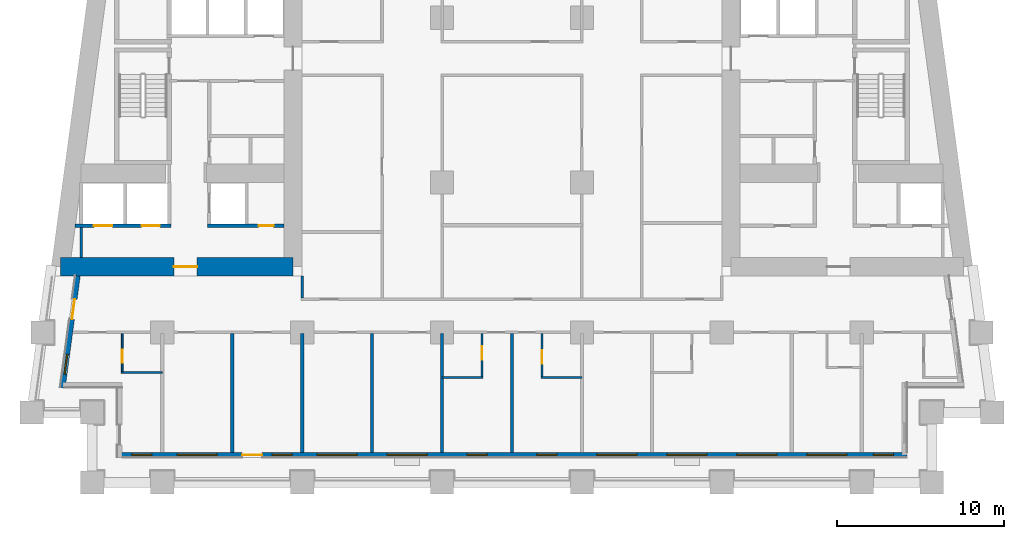
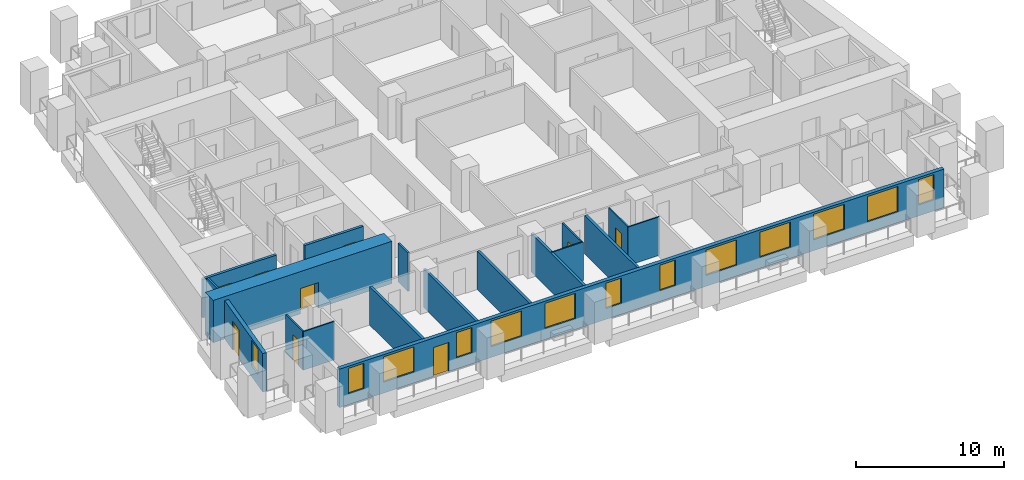
# One storey, part 2 of 12: 18 walls, 13 windows, 9 doors, 22 openings.
"""IFC4 building model written with IfcOpenShell, lengths in metres."""

from ifc_helpers import new_model, si_unit, direction, frame, frame_2d, origin, place, context, subcontext, project, spatial, rectangle, extrude, material, layer, layer_set, type_object, element, fill, save


model = new_model("IFC4")

# Units and contexts
model_context = context("Model", 3, precision=1e-05, world=origin(), true_north=direction((0.0, 1.0)))
body_context = subcontext(model_context, "Body", "Model", "MODEL_VIEW")
ifc_project = project(units=[si_unit("LENGTHUNIT", "METRE"), si_unit("AREAUNIT", "SQUARE_METRE"), si_unit("VOLUMEUNIT", "CUBIC_METRE"), si_unit("PLANEANGLEUNIT", "RADIAN"), si_unit("MASSUNIT", "GRAM", prefix="KILO")], contexts=[model_context])

# Site, building, storey
site_placement = place(None, origin())
site = spatial("IfcSite", under=ifc_project, at=site_placement, CompositionType="ELEMENT")
building_placement = place(site_placement, origin())
building = spatial("IfcBuilding", under=site, at=building_placement, Name="Candeia Pilgrim Tower and Theatre", CompositionType="ELEMENT")
storey_placement = place(building_placement, frame((0.0, 0.0, 42.5)))
storey = spatial("IfcBuildingStorey", under=building, at=storey_placement, Name="L07", CompositionType="ELEMENT", Elevation=42.5)

# Wall, opening, door
ifc_material_1 = material(Name="Concrete C80/95", Category="concrete")
ifc_layer_1 = layer(ifc_material_1, 1.10009765625)
ifc_layer_set_1 = layer_set([ifc_layer_1], Name="Core wall 1100 C80/95")
wall_type_1 = type_object("IfcWallType", Name="Core wall 1100 C80/95", PredefinedType="SHEAR", material=ifc_layer_set_1)
wall_1_placement = place(storey_placement, frame((100.25, 110.949951171875, 0.0), z_axis=(0.0, 0.0, 1.0), x_axis=(-1.0, 0.0, 0.0)))
wall_1 = element("IfcWall", 1, at=wall_1_placement, inside=storey, type_object=wall_type_1, Name="Core wall W3", PredefinedType="SHEAR", context=body_context, shape_type="SweptSolid", body=[
    extrude(rectangle(XDim=13.95166015625, YDim=1.10009765625, at=frame_2d((6.975830078125, 0.0))), origin(), (0.0, 0.0, 1.0), 3.5),
])
opening_1_placement = place(wall_1_placement, frame((5.74755859375, 0.0, 0.0)))
opening_1 = element("IfcOpeningElement", 2, at=opening_1_placement, cuts=wall_1, Name="Opening L07-D055", PredefinedType="OPENING", context=body_context, shape_type="SweptSolid", body=[
    extrude(rectangle(XDim=1.39990234375, YDim=2.10009765625, at=frame_2d((0.699951171875, 1.050048828125))), frame((0.0, 0.56005859375, 0.0), z_axis=(0.0, -1.0, 0.0), x_axis=(1.0, 0.0, 0.0)), (0.0, 0.0, 1.0), 1.1201171875),
])
ifc_material_2 = material(Name="Steel fire door set", Category="steel")
door_type_1 = type_object("IfcDoorType", Name="D-1400-FD60", OperationType="NOTDEFINED", PredefinedType="DOOR", material=ifc_material_2)
door_1_placement = place(opening_1_placement, origin())
door_1 = element("IfcDoor", 3, at=door_1_placement, inside=storey, type_object=door_type_1, Name="Door L07-D055", OperationType="SINGLE_SWING_RIGHT", OverallHeight=2.10009765625, OverallWidth=1.39990234375, PredefinedType="DOOR", context=body_context, shape_type="SweptSolid", body=[
    extrude(rectangle(XDim=1.39990234375, YDim=2.10009765625, at=frame_2d((0.699951171875, 1.050048828125))), frame((0.0, 0.02490234375, 0.0), z_axis=(0.0, -1.0, 0.0), x_axis=(1.0, 0.0, 0.0)), (0.0, 0.0, 1.0), 0.050048828125),
])
fill(opening_1, door_1)

# Wall, openings, door, windows
ifc_material_3 = material(Name="Ceramic block masonry", Category="masonry")
ifc_layer_2 = layer(ifc_material_3, 0.300048828125)
ifc_layer_set_2 = layer_set([ifc_layer_2], Name="EW1 glazing-line wall 300")
wall_type_2 = type_object("IfcWallType", Name="EW1 glazing-line wall 300", PredefinedType="SOLIDWALL", material=ifc_layer_set_2)
wall_2_placement = place(storey_placement, frame((89.85009765625, 99.64990234375, 0.0), z_axis=(0.0, 0.0, 1.0), x_axis=(1.0, 0.0, 0.0)))
wall_2 = element("IfcWall", 4, at=wall_2_placement, inside=storey, type_object=wall_type_2, Name="External wall L07-0.0", PredefinedType="SOLIDWALL", context=body_context, shape_type="SweptSolid", body=[
    extrude(rectangle(XDim=47.25, YDim=0.300048828125, at=frame_2d((23.625, 0.0))), origin(), (0.0, 0.0, 1.0), 3.179931640625),
])
opening_2_placement = place(wall_2_placement, frame((0.72509765625, 0.0, 0.89990234375)))
opening_2 = element("IfcOpeningElement", 5, at=opening_2_placement, cuts=wall_2, Name="Opening W-B", PredefinedType="OPENING", context=body_context, shape_type="SweptSolid", body=[
    extrude(rectangle(XDim=1.199951171875, YDim=2.10009765625, at=frame_2d((0.60009765625, 1.050048828125))), frame((0.0, 0.16015625, 0.0), z_axis=(0.0, -1.0, 0.0), x_axis=(1.0, 0.0, 0.0)), (0.0, 0.0, 1.0), 0.320068359375),
])
opening_3_placement = place(wall_2_placement, frame((3.449951171875, 0.0, 0.89990234375)))
opening_3 = element("IfcOpeningElement", 6, at=opening_3_placement, cuts=wall_2, Name="Opening W-A", PredefinedType="OPENING", context=body_context, shape_type="SweptSolid", body=[
    extrude(rectangle(XDim=2.39990234375, YDim=2.10009765625, at=frame_2d((1.199951171875, 1.050048828125))), frame((0.0, 0.16015625, 0.0), z_axis=(0.0, -1.0, 0.0), x_axis=(1.0, 0.0, 0.0)), (0.0, 0.0, 1.0), 0.320068359375),
])
opening_4_placement = place(wall_2_placement, frame((7.35009765625, 0.0, 0.0)))
opening_4 = element("IfcOpeningElement", 7, at=opening_4_placement, cuts=wall_2, Name="Opening L07-ED092", PredefinedType="OPENING", context=body_context, shape_type="SweptSolid", body=[
    extrude(rectangle(XDim=1.199951171875, YDim=2.39990234375, at=frame_2d((0.60009765625, 1.199951171875))), frame((0.0, 0.16015625, 0.0), z_axis=(0.0, -1.0, 0.0), x_axis=(1.0, 0.0, 0.0)), (0.0, 0.0, 1.0), 0.320068359375),
])
opening_5_placement = place(wall_2_placement, frame((9.14990234375, 0.0, 0.89990234375)))
opening_5 = element("IfcOpeningElement", 8, at=opening_5_placement, cuts=wall_2, Name="Opening W-B", PredefinedType="OPENING", context=body_context, shape_type="SweptSolid", body=[
    extrude(rectangle(XDim=1.199951171875, YDim=2.10009765625, at=frame_2d((0.60009765625, 1.050048828125))), frame((0.0, 0.16015625, 0.0), z_axis=(0.0, -1.0, 0.0), x_axis=(1.0, 0.0, 0.0)), (0.0, 0.0, 1.0), 0.320068359375),
])
opening_6_placement = place(wall_2_placement, frame((11.85009765625, 0.0, 0.89990234375)))
opening_6 = element("IfcOpeningElement", 9, at=opening_6_placement, cuts=wall_2, Name="Opening W-A", PredefinedType="OPENING", context=body_context, shape_type="SweptSolid", body=[
    extrude(rectangle(XDim=2.39990234375, YDim=2.10009765625, at=frame_2d((1.199951171875, 1.050048828125))), frame((0.0, 0.16015625, 0.0), z_axis=(0.0, -1.0, 0.0), x_axis=(1.0, 0.0, 0.0)), (0.0, 0.0, 1.0), 0.320068359375),
])
opening_7_placement = place(wall_2_placement, frame((16.050048828125, 0.0, 0.89990234375)))
opening_7 = element("IfcOpeningElement", 10, at=opening_7_placement, cuts=wall_2, Name="Opening W-A", PredefinedType="OPENING", context=body_context, shape_type="SweptSolid", body=[
    extrude(rectangle(XDim=2.39990234375, YDim=2.10009765625, at=frame_2d((1.199951171875, 1.050048828125))), frame((0.0, 0.16015625, 0.0), z_axis=(0.0, -1.0, 0.0), x_axis=(1.0, 0.0, 0.0)), (0.0, 0.0, 1.0), 0.320068359375),
])
opening_8_placement = place(wall_2_placement, frame((20.85009765625, 0.0, 0.89990234375)))
opening_8 = element("IfcOpeningElement", 11, at=opening_8_placement, cuts=wall_2, Name="Opening W-B", PredefinedType="OPENING", context=body_context, shape_type="SweptSolid", body=[
    extrude(rectangle(XDim=1.199951171875, YDim=2.10009765625, at=frame_2d((0.60009765625, 1.050048828125))), frame((0.0, 0.16015625, 0.0), z_axis=(0.0, -1.0, 0.0), x_axis=(1.0, 0.0, 0.0)), (0.0, 0.0, 1.0), 0.320068359375),
])
opening_9_placement = place(wall_2_placement, frame((25.050048828125, 0.0, 0.89990234375)))
opening_9 = element("IfcOpeningElement", 12, at=opening_9_placement, cuts=wall_2, Name="Opening W-B", PredefinedType="OPENING", context=body_context, shape_type="SweptSolid", body=[
    extrude(rectangle(XDim=1.199951171875, YDim=2.10009765625, at=frame_2d((0.60009765625, 1.050048828125))), frame((0.0, 0.16015625, 0.0), z_axis=(0.0, -1.0, 0.0), x_axis=(1.0, 0.0, 0.0)), (0.0, 0.0, 1.0), 0.320068359375),
])
opening_10_placement = place(wall_2_placement, frame((28.64990234375, 0.0, 0.89990234375)))
opening_10 = element("IfcOpeningElement", 13, at=opening_10_placement, cuts=wall_2, Name="Opening W-A", PredefinedType="OPENING", context=body_context, shape_type="SweptSolid", body=[
    extrude(rectangle(XDim=2.39990234375, YDim=2.10009765625, at=frame_2d((1.199951171875, 1.050048828125))), frame((0.0, 0.16015625, 0.0), z_axis=(0.0, -1.0, 0.0), x_axis=(1.0, 0.0, 0.0)), (0.0, 0.0, 1.0), 0.320068359375),
])
opening_11_placement = place(wall_2_placement, frame((32.85009765625, 0.0, 0.89990234375)))
opening_11 = element("IfcOpeningElement", 14, at=opening_11_placement, cuts=wall_2, Name="Opening W-A", PredefinedType="OPENING", context=body_context, shape_type="SweptSolid", body=[
    extrude(rectangle(XDim=2.39990234375, YDim=2.10009765625, at=frame_2d((1.199951171875, 1.050048828125))), frame((0.0, 0.16015625, 0.0), z_axis=(0.0, -1.0, 0.0), x_axis=(1.0, 0.0, 0.0)), (0.0, 0.0, 1.0), 0.320068359375),
])
opening_12_placement = place(wall_2_placement, frame((37.050048828125, 0.0, 0.89990234375)))
opening_12 = element("IfcOpeningElement", 15, at=opening_12_placement, cuts=wall_2, Name="Opening W-A", PredefinedType="OPENING", context=body_context, shape_type="SweptSolid", body=[
    extrude(rectangle(XDim=2.39990234375, YDim=2.10009765625, at=frame_2d((1.199951171875, 1.050048828125))), frame((0.0, 0.16015625, 0.0), z_axis=(0.0, -1.0, 0.0), x_axis=(1.0, 0.0, 0.0)), (0.0, 0.0, 1.0), 0.320068359375),
])
opening_13_placement = place(wall_2_placement, frame((41.25, 0.0, 0.89990234375)))
opening_13 = element("IfcOpeningElement", 16, at=opening_13_placement, cuts=wall_2, Name="Opening W-A", PredefinedType="OPENING", context=body_context, shape_type="SweptSolid", body=[
    extrude(rectangle(XDim=2.39990234375, YDim=2.10009765625, at=frame_2d((1.199951171875, 1.050048828125))), frame((0.0, 0.16015625, 0.0), z_axis=(0.0, -1.0, 0.0), x_axis=(1.0, 0.0, 0.0)), (0.0, 0.0, 1.0), 0.320068359375),
])
opening_14_placement = place(wall_2_placement, frame((45.25, 0.0, 0.89990234375)))
opening_14 = element("IfcOpeningElement", 17, at=opening_14_placement, cuts=wall_2, Name="Opening W-B", PredefinedType="OPENING", context=body_context, shape_type="SweptSolid", body=[
    extrude(rectangle(XDim=1.199951171875, YDim=2.10009765625, at=frame_2d((0.60009765625, 1.050048828125))), frame((0.0, 0.16015625, 0.0), z_axis=(0.0, -1.0, 0.0), x_axis=(1.0, 0.0, 0.0)), (0.0, 0.0, 1.0), 0.320068359375),
])
ifc_material_4 = material(Name="Aluminium framed glazed door", Category="aluminium")
door_type_2 = type_object("IfcDoorType", Name="Loggia door 1200x2400", OperationType="DOUBLE_DOOR_SINGLE_SWING", PredefinedType="DOOR", material=ifc_material_4)
door_2_placement = place(opening_4_placement, origin())
door_2 = element("IfcDoor", 18, at=door_2_placement, inside=storey, type_object=door_type_2, Name="Loggia door L07-ED092", OperationType="DOUBLE_DOOR_SINGLE_SWING", OverallHeight=2.39990234375, OverallWidth=1.199951171875, PredefinedType="DOOR", context=body_context, shape_type="SweptSolid", body=[
    extrude(rectangle(XDim=1.199951171875, YDim=2.39990234375, at=frame_2d((0.60009765625, 1.199951171875))), frame((0.0, 0.02490234375, 0.0), z_axis=(0.0, -1.0, 0.0), x_axis=(1.0, 0.0, 0.0)), (0.0, 0.0, 1.0), 0.050048828125),
])
fill(opening_4, door_2)
ifc_material_5 = material(Name="Aluminium framed double glazing", Category="aluminium")
window_type_1 = type_object("IfcWindowType", Name="W-A window 2400x2100", PartitioningType="DOUBLE_PANEL_VERTICAL", PredefinedType="WINDOW", material=ifc_material_5)
window_1_placement = place(opening_3_placement, origin())
window_1 = element("IfcWindow", 19, at=window_1_placement, inside=storey, type_object=window_type_1, Name="Window W-A L07", OverallHeight=2.10009765625, OverallWidth=2.39990234375, PartitioningType="SINGLE_PANEL", PredefinedType="WINDOW", context=body_context, shape_type="SweptSolid", body=[
    extrude(rectangle(XDim=2.39990234375, YDim=2.10009765625, at=frame_2d((1.199951171875, 1.050048828125))), frame((0.0, 0.030029296875, 0.0), z_axis=(0.0, -1.0, 0.0), x_axis=(1.0, 0.0, 0.0)), (0.0, 0.0, 1.0), 0.06005859375),
])
fill(opening_3, window_1)
window_2_placement = place(opening_6_placement, origin())
window_2 = element("IfcWindow", 20, at=window_2_placement, inside=storey, type_object=window_type_1, Name="Window W-A L07", OverallHeight=2.10009765625, OverallWidth=2.39990234375, PartitioningType="SINGLE_PANEL", PredefinedType="WINDOW", context=body_context, shape_type="SweptSolid", body=[
    extrude(rectangle(XDim=2.39990234375, YDim=2.10009765625, at=frame_2d((1.199951171875, 1.050048828125))), frame((0.0, 0.030029296875, 0.0), z_axis=(0.0, -1.0, 0.0), x_axis=(1.0, 0.0, 0.0)), (0.0, 0.0, 1.0), 0.06005859375),
])
fill(opening_6, window_2)
window_3_placement = place(opening_7_placement, origin())
window_3 = element("IfcWindow", 21, at=window_3_placement, inside=storey, type_object=window_type_1, Name="Window W-A L07", OverallHeight=2.10009765625, OverallWidth=2.39990234375, PartitioningType="SINGLE_PANEL", PredefinedType="WINDOW", context=body_context, shape_type="SweptSolid", body=[
    extrude(rectangle(XDim=2.39990234375, YDim=2.10009765625, at=frame_2d((1.199951171875, 1.050048828125))), frame((0.0, 0.030029296875, 0.0), z_axis=(0.0, -1.0, 0.0), x_axis=(1.0, 0.0, 0.0)), (0.0, 0.0, 1.0), 0.06005859375),
])
fill(opening_7, window_3)
window_4_placement = place(opening_10_placement, origin())
window_4 = element("IfcWindow", 22, at=window_4_placement, inside=storey, type_object=window_type_1, Name="Window W-A L07", OverallHeight=2.10009765625, OverallWidth=2.39990234375, PartitioningType="SINGLE_PANEL", PredefinedType="WINDOW", context=body_context, shape_type="SweptSolid", body=[
    extrude(rectangle(XDim=2.39990234375, YDim=2.10009765625, at=frame_2d((1.199951171875, 1.050048828125))), frame((0.0, 0.030029296875, 0.0), z_axis=(0.0, -1.0, 0.0), x_axis=(1.0, 0.0, 0.0)), (0.0, 0.0, 1.0), 0.06005859375),
])
fill(opening_10, window_4)
window_5_placement = place(opening_11_placement, origin())
window_5 = element("IfcWindow", 23, at=window_5_placement, inside=storey, type_object=window_type_1, Name="Window W-A L07", OverallHeight=2.10009765625, OverallWidth=2.39990234375, PartitioningType="SINGLE_PANEL", PredefinedType="WINDOW", context=body_context, shape_type="SweptSolid", body=[
    extrude(rectangle(XDim=2.39990234375, YDim=2.10009765625, at=frame_2d((1.199951171875, 1.050048828125))), frame((0.0, 0.030029296875, 0.0), z_axis=(0.0, -1.0, 0.0), x_axis=(1.0, 0.0, 0.0)), (0.0, 0.0, 1.0), 0.06005859375),
])
fill(opening_11, window_5)
window_6_placement = place(opening_12_placement, origin())
window_6 = element("IfcWindow", 24, at=window_6_placement, inside=storey, type_object=window_type_1, Name="Window W-A L07", OverallHeight=2.10009765625, OverallWidth=2.39990234375, PartitioningType="SINGLE_PANEL", PredefinedType="WINDOW", context=body_context, shape_type="SweptSolid", body=[
    extrude(rectangle(XDim=2.39990234375, YDim=2.10009765625, at=frame_2d((1.199951171875, 1.050048828125))), frame((0.0, 0.030029296875, 0.0), z_axis=(0.0, -1.0, 0.0), x_axis=(1.0, 0.0, 0.0)), (0.0, 0.0, 1.0), 0.06005859375),
])
fill(opening_12, window_6)
window_7_placement = place(opening_13_placement, origin())
window_7 = element("IfcWindow", 25, at=window_7_placement, inside=storey, type_object=window_type_1, Name="Window W-A L07", OverallHeight=2.10009765625, OverallWidth=2.39990234375, PartitioningType="SINGLE_PANEL", PredefinedType="WINDOW", context=body_context, shape_type="SweptSolid", body=[
    extrude(rectangle(XDim=2.39990234375, YDim=2.10009765625, at=frame_2d((1.199951171875, 1.050048828125))), frame((0.0, 0.030029296875, 0.0), z_axis=(0.0, -1.0, 0.0), x_axis=(1.0, 0.0, 0.0)), (0.0, 0.0, 1.0), 0.06005859375),
])
fill(opening_13, window_7)
window_type_2 = type_object("IfcWindowType", Name="W-B window 1200x2100", PartitioningType="SINGLE_PANEL", PredefinedType="WINDOW", material=ifc_material_5)
window_8_placement = place(opening_2_placement, origin())
window_8 = element("IfcWindow", 26, at=window_8_placement, inside=storey, type_object=window_type_2, Name="Window W-B L07", OverallHeight=2.10009765625, OverallWidth=1.199951171875, PartitioningType="SINGLE_PANEL", PredefinedType="WINDOW", context=body_context, shape_type="SweptSolid", body=[
    extrude(rectangle(XDim=1.199951171875, YDim=2.10009765625, at=frame_2d((0.60009765625, 1.050048828125))), frame((0.0, 0.030029296875, 0.0), z_axis=(0.0, -1.0, 0.0), x_axis=(1.0, 0.0, 0.0)), (0.0, 0.0, 1.0), 0.06005859375),
])
fill(opening_2, window_8)
window_9_placement = place(opening_5_placement, origin())
window_9 = element("IfcWindow", 27, at=window_9_placement, inside=storey, type_object=window_type_2, Name="Window W-B L07", OverallHeight=2.10009765625, OverallWidth=1.199951171875, PartitioningType="SINGLE_PANEL", PredefinedType="WINDOW", context=body_context, shape_type="SweptSolid", body=[
    extrude(rectangle(XDim=1.199951171875, YDim=2.10009765625, at=frame_2d((0.60009765625, 1.050048828125))), frame((0.0, 0.030029296875, 0.0), z_axis=(0.0, -1.0, 0.0), x_axis=(1.0, 0.0, 0.0)), (0.0, 0.0, 1.0), 0.06005859375),
])
fill(opening_5, window_9)
window_10_placement = place(opening_8_placement, origin())
window_10 = element("IfcWindow", 28, at=window_10_placement, inside=storey, type_object=window_type_2, Name="Window W-B L07", OverallHeight=2.10009765625, OverallWidth=1.199951171875, PartitioningType="SINGLE_PANEL", PredefinedType="WINDOW", context=body_context, shape_type="SweptSolid", body=[
    extrude(rectangle(XDim=1.199951171875, YDim=2.10009765625, at=frame_2d((0.60009765625, 1.050048828125))), frame((0.0, 0.030029296875, 0.0), z_axis=(0.0, -1.0, 0.0), x_axis=(1.0, 0.0, 0.0)), (0.0, 0.0, 1.0), 0.06005859375),
])
fill(opening_8, window_10)
window_11_placement = place(opening_9_placement, origin())
window_11 = element("IfcWindow", 29, at=window_11_placement, inside=storey, type_object=window_type_2, Name="Window W-B L07", OverallHeight=2.10009765625, OverallWidth=1.199951171875, PartitioningType="SINGLE_PANEL", PredefinedType="WINDOW", context=body_context, shape_type="SweptSolid", body=[
    extrude(rectangle(XDim=1.199951171875, YDim=2.10009765625, at=frame_2d((0.60009765625, 1.050048828125))), frame((0.0, 0.030029296875, 0.0), z_axis=(0.0, -1.0, 0.0), x_axis=(1.0, 0.0, 0.0)), (0.0, 0.0, 1.0), 0.06005859375),
])
fill(opening_9, window_11)
window_12_placement = place(opening_14_placement, origin())
window_12 = element("IfcWindow", 30, at=window_12_placement, inside=storey, type_object=window_type_2, Name="Window W-B L07", OverallHeight=2.10009765625, OverallWidth=1.199951171875, PartitioningType="SINGLE_PANEL", PredefinedType="WINDOW", context=body_context, shape_type="SweptSolid", body=[
    extrude(rectangle(XDim=1.199951171875, YDim=2.10009765625, at=frame_2d((0.60009765625, 1.050048828125))), frame((0.0, 0.030029296875, 0.0), z_axis=(0.0, -1.0, 0.0), x_axis=(1.0, 0.0, 0.0)), (0.0, 0.0, 1.0), 0.06005859375),
])
fill(opening_14, window_12)

# Wall, openings, door, window
wall_3_placement = place(storey_placement, frame((87.334228515625, 110.39990234375, 0.0), z_axis=(0.0, 0.0, 1.0), x_axis=(-0.133437175554, -0.991057273915, 0.0)))
wall_3 = element("IfcWall", 31, at=wall_3_placement, inside=storey, type_object=wall_type_2, Name="External wall L07-9.1", PredefinedType="SOLIDWALL", context=body_context, shape_type="SweptSolid", body=[
    extrude(rectangle(XDim=6.780517578125, YDim=0.300048828125, at=frame_2d((3.39013671875, 0.0))), origin(), (0.0, 0.0, 1.0), 3.179931640625),
])
opening_15_placement = place(wall_3_placement, frame((1.41796875, 0.0, 0.0)))
opening_15 = element("IfcOpeningElement", 32, at=opening_15_placement, cuts=wall_3, Name="Opening L07-ED099", PredefinedType="OPENING", context=body_context, shape_type="SweptSolid", body=[
    extrude(rectangle(XDim=1.199951171875, YDim=2.39990234375, at=frame_2d((0.60009765625, 1.199951171875))), frame((0.0, 0.16015625, 0.0), z_axis=(0.0, -1.0, 0.0), x_axis=(1.0, 0.0, 0.0)), (0.0, 0.0, 1.0), 0.320068359375),
])
opening_16_placement = place(wall_3_placement, frame((4.75830078125, 0.0, 0.89990234375)))
opening_16 = element("IfcOpeningElement", 33, at=opening_16_placement, cuts=wall_3, Name="Opening W-B", PredefinedType="OPENING", context=body_context, shape_type="SweptSolid", body=[
    extrude(rectangle(XDim=1.199951171875, YDim=2.10009765625, at=frame_2d((0.60009765625, 1.050048828125))), frame((0.0, 0.16015625, 0.0), z_axis=(0.0, -1.0, 0.0), x_axis=(1.0, 0.0, 0.0)), (0.0, 0.0, 1.0), 0.320068359375),
])
door_3_placement = place(opening_15_placement, origin())
door_3 = element("IfcDoor", 34, at=door_3_placement, inside=storey, type_object=door_type_2, Name="Loggia door L07-ED099", OperationType="DOUBLE_DOOR_SINGLE_SWING", OverallHeight=2.39990234375, OverallWidth=1.199951171875, PredefinedType="DOOR", context=body_context, shape_type="SweptSolid", body=[
    extrude(rectangle(XDim=1.199951171875, YDim=2.39990234375, at=frame_2d((0.60009765625, 1.199951171875))), frame((0.0, 0.02490234375, 0.0), z_axis=(0.0, -1.0, 0.0), x_axis=(1.0, 0.0, 0.0)), (0.0, 0.0, 1.0), 0.050048828125),
])
fill(opening_15, door_3)
window_13_placement = place(opening_16_placement, origin())
window_13 = element("IfcWindow", 35, at=window_13_placement, inside=storey, type_object=window_type_2, Name="Window W-B L07", OverallHeight=2.10009765625, OverallWidth=1.199951171875, PartitioningType="SINGLE_PANEL", PredefinedType="WINDOW", context=body_context, shape_type="SweptSolid", body=[
    extrude(rectangle(XDim=1.199951171875, YDim=2.10009765625, at=frame_2d((0.60009765625, 1.050048828125))), frame((0.0, 0.030029296875, 0.0), z_axis=(0.0, -1.0, 0.0), x_axis=(1.0, 0.0, 0.0)), (0.0, 0.0, 1.0), 0.06005859375),
])
fill(opening_16, window_13)

# Walls
ifc_material_6 = material(Name="Gypsum board partition on steel studs", Category="steel")
ifc_layer_3 = layer(ifc_material_6, 0.10009765625)
ifc_layer_set_3 = layer_set([ifc_layer_3], Name="PW-100 room partition")
wall_type_3 = type_object("IfcWallType", Name="PW-100 room partition", PredefinedType="PARTITIONING", material=ifc_layer_set_3)
wall_4_placement = place(storey_placement, frame((109.199951171875, 104.300048828125, 0.0), z_axis=(0.0, 0.0, 1.0), x_axis=(1.0, 0.0, 0.0)))
element("IfcWall", 36, at=wall_4_placement, inside=storey, type_object=wall_type_3, Name="Room partition L07-001", PredefinedType="PARTITIONING", context=body_context, shape_type="SweptSolid", body=[
    extrude(rectangle(XDim=2.449951171875, YDim=0.10009765625, at=frame_2d((1.22509765625, 0.0))), origin(), (0.0, 0.0, 1.0), 3.179931640625),
])
wall_5_placement = place(storey_placement, frame((115.14990234375, 104.300048828125, 0.0), z_axis=(0.0, 0.0, 1.0), x_axis=(1.0, 0.0, 0.0)))
element("IfcWall", 37, at=wall_5_placement, inside=storey, type_object=wall_type_3, Name="Room partition L07-002", PredefinedType="PARTITIONING", context=body_context, shape_type="SweptSolid", body=[
    extrude(rectangle(XDim=2.4501953125, YDim=0.10009765625, at=frame_2d((1.22509765625, 0.0))), origin(), (0.0, 0.0, 1.0), 3.179931640625),
])
wall_6_placement = place(storey_placement, frame((89.949951171875, 104.60009765625, 0.0), z_axis=(0.0, 0.0, 1.0), x_axis=(1.0, 0.0, 0.0)))
element("IfcWall", 38, at=wall_6_placement, inside=storey, type_object=wall_type_3, Name="Room partition L07-004", PredefinedType="PARTITIONING", context=body_context, shape_type="SweptSolid", body=[
    extrude(rectangle(XDim=2.449951171875, YDim=0.10009765625, at=frame_2d((1.22509765625, 0.0))), origin(), (0.0, 0.0, 1.0), 3.179931640625),
])

# Wall, opening, door
wall_7_placement = place(storey_placement, frame((90.0, 104.64990234375, 0.0), z_axis=(0.0, 0.0, 1.0), x_axis=(0.0, 1.0, 0.0)))
wall_7 = element("IfcWall", 39, at=wall_7_placement, inside=storey, type_object=wall_type_3, Name="Room partition L07-055", PredefinedType="PARTITIONING", context=body_context, shape_type="SweptSolid", body=[
    extrude(rectangle(XDim=2.275146484375, YDim=0.10009765625, at=frame_2d((1.1376953125, 0.0))), origin(), (0.0, 0.0, 1.0), 3.179931640625),
])
opening_17_placement = place(wall_7_placement, frame((0.52490234375, 0.0, 0.0)))
opening_17 = element("IfcOpeningElement", 40, at=opening_17_placement, cuts=wall_7, Name="Opening L07-D015", PredefinedType="OPENING", context=body_context, shape_type="SweptSolid", body=[
    extrude(rectangle(XDim=0.800048828125, YDim=2.10009765625, at=frame_2d((0.39990234375, 1.050048828125))), frame((0.0, 0.06005859375, 0.0), z_axis=(0.0, -1.0, 0.0), x_axis=(1.0, 0.0, 0.0)), (0.0, 0.0, 1.0), 0.1201171875),
])
ifc_material_7 = material(Name="Timber door leaf", Category="wood")
door_type_3 = type_object("IfcDoorType", Name="D-800", OperationType="NOTDEFINED", PredefinedType="DOOR", material=ifc_material_7)
door_4_placement = place(opening_17_placement, origin())
door_4 = element("IfcDoor", 41, at=door_4_placement, inside=storey, type_object=door_type_3, Name="Door L07-D015", OperationType="SINGLE_SWING_RIGHT", OverallHeight=2.10009765625, OverallWidth=0.800048828125, PredefinedType="DOOR", context=body_context, shape_type="SweptSolid", body=[
    extrude(rectangle(XDim=0.800048828125, YDim=2.10009765625, at=frame_2d((0.39990234375, 1.050048828125))), frame((0.0, 0.02490234375, 0.0), z_axis=(0.0, -1.0, 0.0), x_axis=(1.0, 0.0, 0.0)), (0.0, 0.0, 1.0), 0.050048828125),
])
fill(opening_17, door_4)

wall_8_placement = place(storey_placement, frame((111.60009765625, 104.35009765625, 0.0), z_axis=(0.0, 0.0, 1.0), x_axis=(0.0, 1.0, 0.0)))
wall_8 = element("IfcWall", 42, at=wall_8_placement, inside=storey, type_object=wall_type_3, Name="Room partition L07-085", PredefinedType="PARTITIONING", context=body_context, shape_type="SweptSolid", body=[
    extrude(rectangle(XDim=2.574951171875, YDim=0.10009765625, at=frame_2d((1.28759765625, 0.0))), origin(), (0.0, 0.0, 1.0), 3.179931640625),
])
opening_18_placement = place(wall_8_placement, frame((1.02001953125, 0.0, 0.0)))
opening_18 = element("IfcOpeningElement", 43, at=opening_18_placement, cuts=wall_8, Name="Opening L07-D021", PredefinedType="OPENING", context=body_context, shape_type="SweptSolid", body=[
    extrude(rectangle(XDim=0.800048828125, YDim=2.10009765625, at=frame_2d((0.39990234375, 1.050048828125))), frame((0.0, 0.06005859375, 0.0), z_axis=(0.0, -1.0, 0.0), x_axis=(1.0, 0.0, 0.0)), (0.0, 0.0, 1.0), 0.1201171875),
])
door_5_placement = place(opening_18_placement, origin())
door_5 = element("IfcDoor", 44, at=door_5_placement, inside=storey, type_object=door_type_3, Name="Door L07-D021", OperationType="SINGLE_SWING_RIGHT", OverallHeight=2.10009765625, OverallWidth=0.800048828125, PredefinedType="DOOR", context=body_context, shape_type="SweptSolid", body=[
    extrude(rectangle(XDim=0.800048828125, YDim=2.10009765625, at=frame_2d((0.39990234375, 1.050048828125))), frame((0.0, 0.02490234375, 0.0), z_axis=(0.0, -1.0, 0.0), x_axis=(1.0, 0.0, 0.0)), (0.0, 0.0, 1.0), 0.050048828125),
])
fill(opening_18, door_5)

wall_9_placement = place(storey_placement, frame((115.199951171875, 104.35009765625, 0.0), z_axis=(0.0, 0.0, 1.0), x_axis=(0.0, 1.0, 0.0)))
wall_9 = element("IfcWall", 45, at=wall_9_placement, inside=storey, type_object=wall_type_3, Name="Room partition L07-088", PredefinedType="PARTITIONING", context=body_context, shape_type="SweptSolid", body=[
    extrude(rectangle(XDim=2.574951171875, YDim=0.10009765625, at=frame_2d((1.28759765625, 0.0))), origin(), (0.0, 0.0, 1.0), 3.179931640625),
])
opening_19_placement = place(wall_9_placement, frame((0.780029296875, 0.0, 0.0)))
opening_19 = element("IfcOpeningElement", 46, at=opening_19_placement, cuts=wall_9, Name="Opening L07-D023", PredefinedType="OPENING", context=body_context, shape_type="SweptSolid", body=[
    extrude(rectangle(XDim=0.800048828125, YDim=2.10009765625, at=frame_2d((0.39990234375, 1.050048828125))), frame((0.0, 0.06005859375, 0.0), z_axis=(0.0, -1.0, 0.0), x_axis=(1.0, 0.0, 0.0)), (0.0, 0.0, 1.0), 0.1201171875),
])
door_6_placement = place(opening_19_placement, origin())
door_6 = element("IfcDoor", 47, at=door_6_placement, inside=storey, type_object=door_type_3, Name="Door L07-D023", OperationType="SINGLE_SWING_RIGHT", OverallHeight=2.10009765625, OverallWidth=0.800048828125, PredefinedType="DOOR", context=body_context, shape_type="SweptSolid", body=[
    extrude(rectangle(XDim=0.800048828125, YDim=2.10009765625, at=frame_2d((0.39990234375, 1.050048828125))), frame((0.0, 0.02490234375, 0.0), z_axis=(0.0, -1.0, 0.0), x_axis=(1.0, 0.0, 0.0)), (0.0, 0.0, 1.0), 0.050048828125),
])
fill(opening_19, door_6)

# Walls
ifc_layer_4 = layer(ifc_material_6, 0.14990234375)
ifc_layer_set_4 = layer_set([ifc_layer_4], Name="PW-150 lobby wall")
wall_type_4 = type_object("IfcWallType", Name="PW-150 lobby wall", PredefinedType="PARTITIONING", material=ifc_layer_set_4)
wall_10_placement = place(storey_placement, frame((87.530029296875, 111.5, 0.0), z_axis=(0.0, 0.0, 1.0), x_axis=(0.0, 1.0, 0.0)))
element("IfcWall", 48, at=wall_10_placement, inside=storey, type_object=wall_type_4, Name="Lobby wall L07-052", PredefinedType="PARTITIONING", context=body_context, shape_type="SweptSolid", body=[
    extrude(rectangle(XDim=1.800048828125, YDim=0.14990234375, at=frame_2d((0.89990234375, 0.0))), origin(), (0.0, 0.0, 1.0), 3.179931640625),
])
ifc_layer_5 = layer(ifc_material_6, 0.14990234375)
ifc_layer_set_5 = layer_set([ifc_layer_5], Name="PW-150 unit wall")
wall_type_5 = type_object("IfcWallType", Name="PW-150 unit wall", PredefinedType="PARTITIONING", material=ifc_layer_set_5)
wall_11_placement = place(storey_placement, frame((100.800048828125, 109.074951171875, 0.0), z_axis=(0.0, 0.0, 1.0), x_axis=(0.0, 1.0, 0.0)))
element("IfcWall", 49, at=wall_11_placement, inside=storey, type_object=wall_type_5, Name="Unit wall L07-075", PredefinedType="PARTITIONING", context=body_context, shape_type="SweptSolid", body=[
    extrude(rectangle(XDim=1.324951171875, YDim=0.14990234375, at=frame_2d((0.66259765625, 0.0))), origin(), (0.0, 0.0, 1.0), 3.179931640625),
])
ifc_layer_6 = layer(ifc_material_6, 0.199951171875)
ifc_layer_set_6 = layer_set([ifc_layer_6], Name="PW-200 party wall")
wall_type_6 = type_object("IfcWallType", Name="PW-200 party wall", PredefinedType="PARTITIONING", material=ifc_layer_set_6)
for number, where, z_axis, x_axis, name in (
    (50, (96.60009765625, 99.7900390625, 0.0), (0.0, 0.0, 1.0), (0.0, 1.0, 0.0), "Party wall L07-068"),
    (51, (100.800048828125, 99.7900390625, 0.0), (0.0, 0.0, 1.0), (0.0, 1.0, 0.0), "Party wall L07-073"),
    (52, (105.0, 99.7900390625, 0.0), (0.0, 0.0, 1.0), (0.0, 1.0, 0.0), "Party wall L07-077"),
    (53, (109.199951171875, 99.7900390625, 0.0), (0.0, 0.0, 1.0), (0.0, 1.0, 0.0), "Party wall L07-081"),
    (54, (113.39990234375, 99.7900390625, 0.0), (0.0, 0.0, 1.0), (0.0, 1.0, 0.0), "Party wall L07-086"),
):
    element("IfcWall", number, at=place(storey_placement, frame(where, z_axis=z_axis, x_axis=x_axis)), inside=storey, type_object=wall_type_6, Name=name, PredefinedType="PARTITIONING", context=body_context, shape_type="SweptSolid", body=[
        extrude(rectangle(XDim=7.135009765625, YDim=0.199951171875, at=frame_2d((3.5673828125, 0.0))), origin(), (0.0, 0.0, 1.0), 3.179931640625),
    ])

# Wall, openings, doors
ifc_material_8 = material(Name="Concrete C40/50", Category="concrete")
ifc_layer_7 = layer(ifc_material_8, 0.199951171875)
ifc_layer_set_7 = layer_set([ifc_layer_7], Name="SW-200 shaft wall")
wall_type_7 = type_object("IfcWallType", Name="SW-200 shaft wall", PredefinedType="PARTITIONING", material=ifc_layer_set_7)
wall_12_placement = place(storey_placement, frame((87.153076171875, 113.39990234375, 0.0), z_axis=(0.0, 0.0, 1.0), x_axis=(1.0, 0.0, 0.0)))
wall_12 = element("IfcWall", 55, at=wall_12_placement, inside=storey, type_object=wall_type_7, Name="Shaft wall L07-010", PredefinedType="PARTITIONING", context=body_context, shape_type="SweptSolid", body=[
    extrude(rectangle(XDim=5.77392578125, YDim=0.199951171875, at=frame_2d((2.886962890625, 0.0))), origin(), (0.0, 0.0, 1.0), 3.179931640625),
])
opening_20_placement = place(wall_12_placement, frame((1.15087890625, 0.0, 0.0)))
opening_20 = element("IfcOpeningElement", 56, at=opening_20_placement, cuts=wall_12, Name="Opening L07-LD03", PredefinedType="OPENING", context=body_context, shape_type="SweptSolid", body=[
    extrude(rectangle(XDim=1.10009765625, YDim=2.10009765625, at=frame_2d((0.550048828125, 1.050048828125))), frame((0.0, 0.10986328125, 0.0), z_axis=(0.0, -1.0, 0.0), x_axis=(1.0, 0.0, 0.0)), (0.0, 0.0, 1.0), 0.219970703125),
])
opening_21_placement = place(wall_12_placement, frame((4.011962890625, 0.0, 0.0)))
opening_21 = element("IfcOpeningElement", 57, at=opening_21_placement, cuts=wall_12, Name="Opening L07-LD04", PredefinedType="OPENING", context=body_context, shape_type="SweptSolid", body=[
    extrude(rectangle(XDim=1.10009765625, YDim=2.10009765625, at=frame_2d((0.550048828125, 1.050048828125))), frame((0.0, 0.10986328125, 0.0), z_axis=(0.0, -1.0, 0.0), x_axis=(1.0, 0.0, 0.0)), (0.0, 0.0, 1.0), 0.219970703125),
])
ifc_material_9 = material(Name="Glazed aluminium landing door", Category="aluminium")
door_type_4 = type_object("IfcDoorType", Name="LD-1100-EI120", OperationType="SLIDING_TO_LEFT", PredefinedType="DOOR", material=ifc_material_9)
door_7_placement = place(opening_20_placement, origin())
door_7 = element("IfcDoor", 58, at=door_7_placement, inside=storey, type_object=door_type_4, Name="Landing door 03 L07", OperationType="SLIDING_TO_LEFT", OverallHeight=2.10009765625, OverallWidth=1.10009765625, PredefinedType="DOOR", context=body_context, shape_type="SweptSolid", body=[
    extrude(rectangle(XDim=1.10009765625, YDim=2.10009765625, at=frame_2d((0.550048828125, 1.050048828125))), frame((0.0, 0.02490234375, 0.0), z_axis=(0.0, -1.0, 0.0), x_axis=(1.0, 0.0, 0.0)), (0.0, 0.0, 1.0), 0.050048828125),
])
fill(opening_20, door_7)
door_8_placement = place(opening_21_placement, origin())
door_8 = element("IfcDoor", 59, at=door_8_placement, inside=storey, type_object=door_type_4, Name="Landing door 04 L07", OperationType="SLIDING_TO_LEFT", OverallHeight=2.10009765625, OverallWidth=1.10009765625, PredefinedType="DOOR", context=body_context, shape_type="SweptSolid", body=[
    extrude(rectangle(XDim=1.10009765625, YDim=2.10009765625, at=frame_2d((0.550048828125, 1.050048828125))), frame((0.0, 0.02490234375, 0.0), z_axis=(0.0, -1.0, 0.0), x_axis=(1.0, 0.0, 0.0)), (0.0, 0.0, 1.0), 0.050048828125),
])
fill(opening_21, door_8)

# Wall, opening, door
wall_13_placement = place(storey_placement, frame((95.126953125, 113.39990234375, 0.0), z_axis=(0.0, 0.0, 1.0), x_axis=(1.0, 0.0, 0.0)))
wall_13 = element("IfcWall", 60, at=wall_13_placement, inside=storey, type_object=wall_type_7, Name="Shaft wall L07-011", PredefinedType="PARTITIONING", context=body_context, shape_type="SweptSolid", body=[
    extrude(rectangle(XDim=4.572998046875, YDim=0.199951171875, at=frame_2d((2.28662109375, 0.0))), origin(), (0.0, 0.0, 1.0), 3.179931640625),
])
opening_22_placement = place(wall_13_placement, frame((3.068115234375, 0.0, 0.0)))
opening_22 = element("IfcOpeningElement", 61, at=opening_22_placement, cuts=wall_13, Name="Opening L07-D006", PredefinedType="OPENING", context=body_context, shape_type="SweptSolid", body=[
    extrude(rectangle(XDim=0.89990234375, YDim=2.10009765625, at=frame_2d((0.449951171875, 1.050048828125))), frame((0.0, 0.10986328125, 0.0), z_axis=(0.0, -1.0, 0.0), x_axis=(1.0, 0.0, 0.0)), (0.0, 0.0, 1.0), 0.219970703125),
])
door_type_5 = type_object("IfcDoorType", Name="D-900-FD60", OperationType="NOTDEFINED", PredefinedType="DOOR", material=ifc_material_2)
door_9_placement = place(opening_22_placement, origin())
door_9 = element("IfcDoor", 62, at=door_9_placement, inside=storey, type_object=door_type_5, Name="Door L07-D006", OperationType="SINGLE_SWING_RIGHT", OverallHeight=2.10009765625, OverallWidth=0.89990234375, PredefinedType="DOOR", context=body_context, shape_type="SweptSolid", body=[
    extrude(rectangle(XDim=0.89990234375, YDim=2.10009765625, at=frame_2d((0.449951171875, 1.050048828125))), frame((0.0, 0.02490234375, 0.0), z_axis=(0.0, -1.0, 0.0), x_axis=(1.0, 0.0, 0.0)), (0.0, 0.0, 1.0), 0.050048828125),
])
fill(opening_22, door_9)

save(model, "model.ifc")
